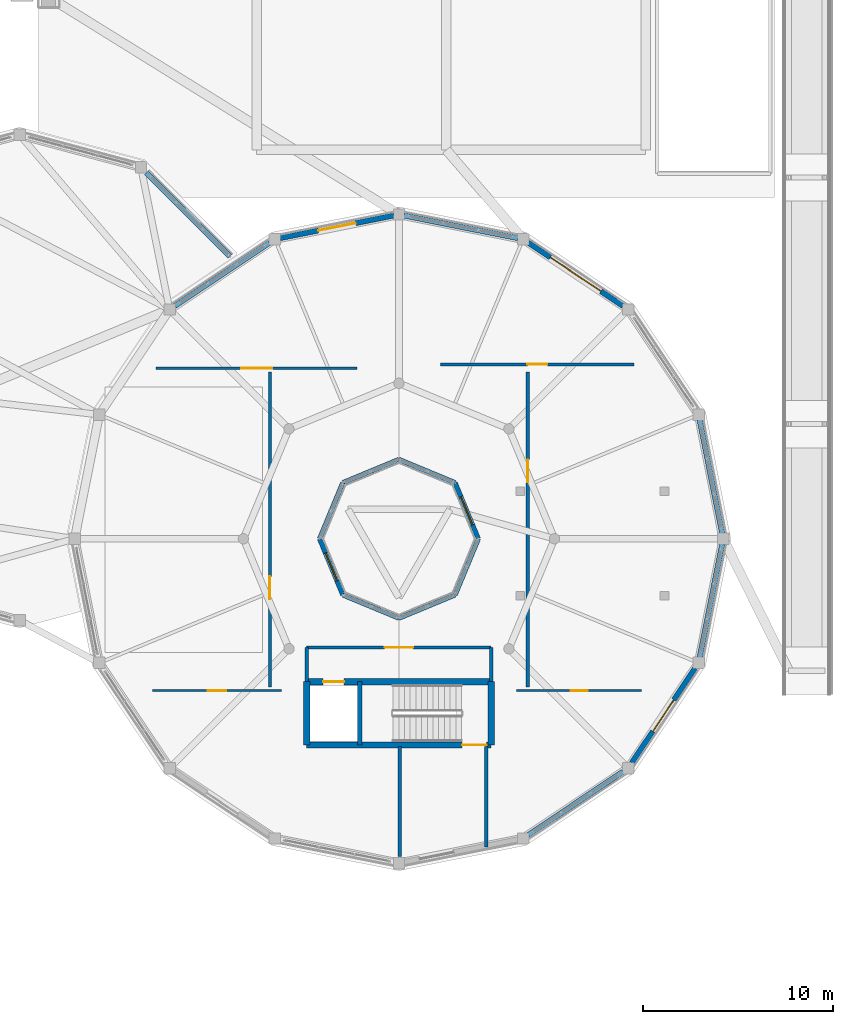
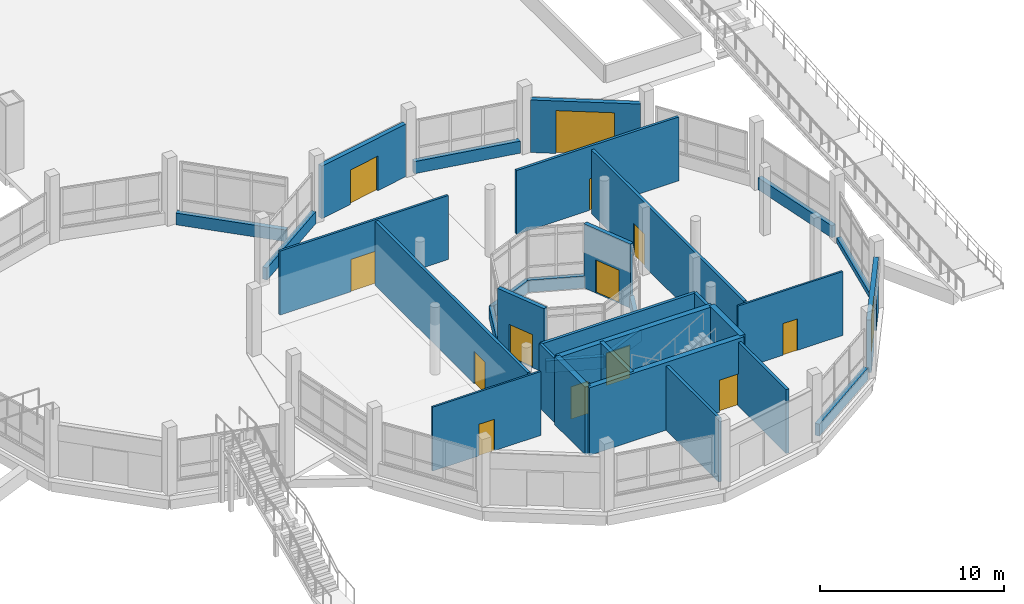
# One storey, part 112 of 129: 33 walls, 14 doors, 14 openings.
"""IFC4 building model written with IfcOpenShell, lengths in metres."""

from ifc_helpers import new_model, si_unit, direction, frame, frame_2d, origin, place, context, subcontext, project, spatial, rectangle, extrude, material, layer, layer_set, type_object, element, fill, save


model = new_model("IFC4")

# Units and contexts
model_context = context("Model", 3, precision=1e-05, world=origin(), true_north=direction((0.0, 1.0)))
body_context = subcontext(model_context, "Body", "Model", "MODEL_VIEW")
ifc_project = project(units=[si_unit("LENGTHUNIT", "METRE"), si_unit("AREAUNIT", "SQUARE_METRE"), si_unit("VOLUMEUNIT", "CUBIC_METRE"), si_unit("PLANEANGLEUNIT", "RADIAN"), si_unit("MASSUNIT", "GRAM", prefix="KILO")], contexts=[model_context])

# Site, building, storey
site_placement = place(None, origin())
site = spatial("IfcSite", under=ifc_project, at=site_placement, CompositionType="ELEMENT")
building_placement = place(site_placement, origin())
building = spatial("IfcBuilding", under=site, at=building_placement, Name="Vespera Passage Community Centre", CompositionType="ELEMENT")
storey_placement = place(building_placement, origin())
storey = spatial("IfcBuildingStorey", under=building, at=storey_placement, Name="L00", CompositionType="ELEMENT", Elevation=0.0)

# Wall, opening, door
ifc_material_1 = material(Name="Concrete f'c 45 MPa", Category="concrete")
ifc_layer_1 = layer(ifc_material_1, 0.340087890625)
ifc_layer_set_1 = layer_set([ifc_layer_1], Name="Concrete f'c 45 MPa")
wall_type_1 = type_object("IfcWallType", Name="WT-CORE-340I", PredefinedType="SHEAR", material=ifc_layer_set_1)
wall_1_placement = place(storey_placement, frame((136.135009765625, 17.469970703125, 0.0), z_axis=(0.0, 0.0, 1.0), x_axis=(1.0, 0.0, 0.0)))
wall_1 = element("IfcWall", 1, at=wall_1_placement, inside=storey, type_object=wall_type_1, Name="Core C7 L00 Shear Wall FRONT", PredefinedType="SHEAR", context=body_context, shape_type="SweptSolid", body=[
    extrude(rectangle(XDim=9.72998046875, YDim=0.340087890625, at=frame_2d((4.864990234375, 0.0))), origin(), (0.0, 0.0, 1.0), 4.5),
])
opening_1_placement = place(wall_1_placement, frame((0.8701171875, 0.0, 0.0)))
opening_1 = element("IfcOpeningElement", 2, at=opening_1_placement, cuts=wall_1, Name="Opening DT-LIFT-110", PredefinedType="OPENING", context=body_context, shape_type="SweptSolid", body=[
    extrude(rectangle(XDim=1.10009765625, YDim=2.14990234375, at=frame_2d((0.550048828125, 1.074951171875))), frame((0.0, 0.179931640625, 0.0), z_axis=(0.0, -1.0, 0.0), x_axis=(1.0, 0.0, 0.0)), (0.0, 0.0, 1.0), 0.360107421875),
])
ifc_material_2 = material(Name="Painted hollow-metal acoustic door", Category="steel")
door_type_1 = type_object("IfcDoorType", Name="DT-LIFT-110", OperationType="NOTDEFINED", PredefinedType="DOOR", material=ifc_material_2)
door_1_placement = place(opening_1_placement, origin())
door_1 = element("IfcDoor", 3, at=door_1_placement, inside=storey, type_object=door_type_1, Name="Elevator EL-05 L00 Landing Door LD-027", OperationType="SLIDING_TO_LEFT", OverallHeight=2.14990234375, OverallWidth=1.10009765625, PredefinedType="DOOR", context=body_context, shape_type="SweptSolid", body=[
    extrude(rectangle(XDim=1.10009765625, YDim=2.14990234375, at=frame_2d((0.550048828125, 1.074951171875))), frame((0.0, 0.02490234375, 0.0), z_axis=(0.0, -1.0, 0.0), x_axis=(1.0, 0.0, 0.0)), (0.0, 0.0, 1.0), 0.050048828125),
])
fill(opening_1, door_1)

# Wall
wall_2_placement = place(storey_placement, frame((145.864990234375, 17.469970703125, 0.0), z_axis=(0.0, 0.0, 1.0), x_axis=(0.0, -1.0, 0.0)))
element("IfcWall", 4, at=wall_2_placement, inside=storey, type_object=wall_type_1, Name="Core C7 L00 Shear Wall LEFT", PredefinedType="SHEAR", context=body_context, shape_type="SweptSolid", body=[
    extrude(rectangle(XDim=3.340087890625, YDim=0.340087890625, at=frame_2d((1.669921875, 0.0))), origin(), (0.0, 0.0, 1.0), 4.5),
])

# Wall, opening, door
wall_3_placement = place(storey_placement, frame((145.864990234375, 14.1298828125, 0.0), z_axis=(0.0, 0.0, 1.0), x_axis=(-1.0, 0.0, 0.0)))
wall_3 = element("IfcWall", 5, at=wall_3_placement, inside=storey, type_object=wall_type_1, Name="Core C7 L00 Shear Wall BACK", PredefinedType="SHEAR", context=body_context, shape_type="SweptSolid", body=[
    extrude(rectangle(XDim=9.72998046875, YDim=0.340087890625, at=frame_2d((4.864990234375, 0.0))), origin(), (0.0, 0.0, 1.0), 4.5),
])
opening_2_placement = place(wall_3_placement, frame((0.239990234375, 0.0, 0.0)))
opening_2 = element("IfcOpeningElement", 6, at=opening_2_placement, cuts=wall_3, Name="Opening DT-STAIR-130", PredefinedType="OPENING", context=body_context, shape_type="SweptSolid", body=[
    extrude(rectangle(XDim=1.300048828125, YDim=2.14990234375, at=frame_2d((0.64990234375, 1.074951171875))), frame((0.0, 0.179931640625, 0.0), z_axis=(0.0, -1.0, 0.0), x_axis=(1.0, 0.0, 0.0)), (0.0, 0.0, 1.0), 0.360107421875),
])
ifc_material_3 = material(Name="Painted hollow-metal acoustic door", Category="steel")
door_type_2 = type_object("IfcDoorType", Name="DT-STAIR-130", OperationType="NOTDEFINED", PredefinedType="DOOR", material=ifc_material_3)
door_2_placement = place(opening_2_placement, origin())
door_2 = element("IfcDoor", 7, at=door_2_placement, inside=storey, type_object=door_type_2, Name="Core C7 L00 Exit Stair Door D-111", OperationType="SINGLE_SWING_LEFT", OverallHeight=2.14990234375, OverallWidth=1.300048828125, PredefinedType="DOOR", context=body_context, shape_type="SweptSolid", body=[
    extrude(rectangle(XDim=1.300048828125, YDim=2.14990234375, at=frame_2d((0.64990234375, 1.074951171875))), frame((0.0, 0.02490234375, 0.0), z_axis=(0.0, -1.0, 0.0), x_axis=(1.0, 0.0, 0.0)), (0.0, 0.0, 1.0), 0.050048828125),
])
fill(opening_2, door_2)

# Wall
wall_4_placement = place(storey_placement, frame((136.135009765625, 14.1298828125, 0.0), z_axis=(0.0, 0.0, 1.0), x_axis=(0.0, 1.0, 0.0)))
element("IfcWall", 8, at=wall_4_placement, inside=storey, type_object=wall_type_1, Name="Core C7 L00 Shear Wall RIGHT", PredefinedType="SHEAR", context=body_context, shape_type="SweptSolid", body=[
    extrude(rectangle(XDim=3.340087890625, YDim=0.340087890625, at=frame_2d((1.669921875, 0.0))), origin(), (0.0, 0.0, 1.0), 4.5),
])

# Wall, opening, door
ifc_material_4 = material(Name="Gypsum board acoustic stud partition")
ifc_layer_2 = layer(ifc_material_4, 0.179931640625)
ifc_layer_set_2 = layer_set([ifc_layer_2], Name="Gypsum board acoustic stud partition")
wall_type_2 = type_object("IfcWallType", Name="WT-CORR-180I", PredefinedType="PARTITIONING", material=ifc_layer_set_2)
wall_5_placement = place(storey_placement, frame((145.864990234375, 19.27001953125, 0.0), z_axis=(0.0, 0.0, 1.0), x_axis=(-1.0, 0.0, 0.0)))
wall_5 = element("IfcWall", 9, at=wall_5_placement, inside=storey, type_object=wall_type_2, Name="Core C7 L00 Lift Lobby Front Wall", PredefinedType="PARTITIONING", context=body_context, shape_type="SweptSolid", body=[
    extrude(rectangle(XDim=9.72998046875, YDim=0.179931640625, at=frame_2d((4.864990234375, 0.0))), origin(), (0.0, 0.0, 1.0), 4.2548828125),
])
opening_3_placement = place(wall_5_placement, frame((4.114990234375, 0.0, 0.0)))
opening_3 = element("IfcOpeningElement", 10, at=opening_3_placement, cuts=wall_5, Name="Opening DT-CORR-150", PredefinedType="OPENING", context=body_context, shape_type="SweptSolid", body=[
    extrude(rectangle(XDim=1.5, YDim=2.14990234375, at=frame_2d((0.75, 1.074951171875))), frame((0.0, 0.099853515625, 0.0), z_axis=(0.0, -1.0, 0.0), x_axis=(1.0, 0.0, 0.0)), (0.0, 0.0, 1.0), 0.199951171875),
])
ifc_material_5 = material(Name="Painted hollow-metal acoustic door", Category="steel")
door_type_3 = type_object("IfcDoorType", Name="DT-CORR-150", OperationType="NOTDEFINED", PredefinedType="DOOR", material=ifc_material_5)
door_3_placement = place(opening_3_placement, origin())
door_3 = element("IfcDoor", 11, at=door_3_placement, inside=storey, type_object=door_type_3, Name="Core C7 L00 Lift Lobby Door D-112", OperationType="SINGLE_SWING_RIGHT", OverallHeight=2.14990234375, OverallWidth=1.5, PredefinedType="DOOR", context=body_context, shape_type="SweptSolid", body=[
    extrude(rectangle(XDim=1.5, YDim=2.14990234375, at=frame_2d((0.75, 1.074951171875))), frame((0.0, 0.02490234375, 0.0), z_axis=(0.0, -1.0, 0.0), x_axis=(1.0, 0.0, 0.0)), (0.0, 0.0, 1.0), 0.050048828125),
])
fill(opening_3, door_3)

# Walls
for number, where, z_axis, x_axis, name in (
    (12, (145.864990234375, 17.469970703125, 0.0), (0.0, 0.0, 1.0), (0.0, 1.0, 0.0), "Core C7 L00 Lift Lobby Side Wall L"),
    (13, (136.135009765625, 17.469970703125, 0.0), (0.0, 0.0, 1.0), (0.0, 1.0, 0.0), "Core C7 L00 Lift Lobby Side Wall R"),
):
    element("IfcWall", number, at=place(storey_placement, frame(where, z_axis=z_axis, x_axis=x_axis)), inside=storey, type_object=wall_type_2, Name=name, PredefinedType="PARTITIONING", context=body_context, shape_type="SweptSolid", body=[
        extrude(rectangle(XDim=1.800048828125, YDim=0.179931640625, at=frame_2d((0.89990234375, 0.0))), origin(), (0.0, 0.0, 1.0), 4.2548828125),
    ])
wall_6_placement = place(storey_placement, frame((141.050048828125, 8.25, 0.0), z_axis=(0.0, 0.0, 1.0), x_axis=(0.0, 1.0, 0.0)))
element("IfcWall", 14, at=wall_6_placement, inside=storey, type_object=wall_type_2, Name="L00 Protected Exit Passageway Wall EP4-W", PredefinedType="PARTITIONING", context=body_context, shape_type="SweptSolid", body=[
    extrude(rectangle(XDim=5.800048828125, YDim=0.179931640625, at=frame_2d((2.89990234375, 0.0))), origin(), (0.0, 0.0, 1.0), 4.2548828125),
])
wall_7_placement = place(storey_placement, frame((145.60009765625, 8.75, 0.0), z_axis=(0.0, 0.0, 1.0), x_axis=(0.0, 1.0, 0.0)))
element("IfcWall", 15, at=wall_7_placement, inside=storey, type_object=wall_type_2, Name="L00 Protected Exit Passageway Wall EP4-E", PredefinedType="PARTITIONING", context=body_context, shape_type="SweptSolid", body=[
    extrude(rectangle(XDim=5.300048828125, YDim=0.179931640625, at=frame_2d((2.64990234375, 0.0))), origin(), (0.0, 0.0, 1.0), 4.2548828125),
])

# Wall, opening, door
wall_8_placement = place(storey_placement, frame((134.199951171875, 17.199951171875, 0.0), z_axis=(0.0, 0.0, 1.0), x_axis=(0.0, 1.0, 0.0)))
wall_8 = element("IfcWall", 16, at=wall_8_placement, inside=storey, type_object=wall_type_2, Name="L00 Interior Partition V3-L00-CW.1", PredefinedType="PARTITIONING", context=body_context, shape_type="SweptSolid", body=[
    extrude(rectangle(XDim=16.60009765625, YDim=0.179931640625, at=frame_2d((8.300048828125, 0.0))), origin(), (0.0, 0.0, 1.0), 4.2548828125),
])
opening_4_placement = place(wall_8_placement, frame((4.6201171875, 0.0, 0.0)))
opening_4 = element("IfcOpeningElement", 17, at=opening_4_placement, cuts=wall_8, Name="Opening DT-CORR-120", PredefinedType="OPENING", context=body_context, shape_type="SweptSolid", body=[
    extrude(rectangle(XDim=1.199951171875, YDim=2.14990234375, at=frame_2d((0.60009765625, 1.074951171875))), frame((0.0, 0.099853515625, 0.0), z_axis=(0.0, -1.0, 0.0), x_axis=(1.0, 0.0, 0.0)), (0.0, 0.0, 1.0), 0.199951171875),
])
ifc_material_6 = material(Name="Painted hollow-metal acoustic door", Category="steel")
door_type_4 = type_object("IfcDoorType", Name="DT-CORR-120", OperationType="NOTDEFINED", PredefinedType="DOOR", material=ifc_material_6)
door_4_placement = place(opening_4_placement, origin())
door_4 = element("IfcDoor", 18, at=door_4_placement, inside=storey, type_object=door_type_4, Name="L00 Interior Door D-355", OperationType="SINGLE_SWING_LEFT", OverallHeight=2.14990234375, OverallWidth=1.199951171875, PredefinedType="DOOR", context=body_context, shape_type="SweptSolid", body=[
    extrude(rectangle(XDim=1.199951171875, YDim=2.14990234375, at=frame_2d((0.60009765625, 1.074951171875))), frame((0.0, 0.02490234375, 0.0), z_axis=(0.0, -1.0, 0.0), x_axis=(1.0, 0.0, 0.0)), (0.0, 0.0, 1.0), 0.050048828125),
])
fill(opening_4, door_4)

wall_9_placement = place(storey_placement, frame((147.800048828125, 17.199951171875, 0.0), z_axis=(0.0, 0.0, 1.0), x_axis=(0.0, 1.0, 0.0)))
wall_9 = element("IfcWall", 19, at=wall_9_placement, inside=storey, type_object=wall_type_2, Name="L00 Interior Partition V3-L00-CE.1", PredefinedType="PARTITIONING", context=body_context, shape_type="SweptSolid", body=[
    extrude(rectangle(XDim=16.60009765625, YDim=0.179931640625, at=frame_2d((8.300048828125, 0.0))), origin(), (0.0, 0.0, 1.0), 4.2548828125),
])
opening_5_placement = place(wall_9_placement, frame((10.780029296875, 0.0, 0.0)))
opening_5 = element("IfcOpeningElement", 20, at=opening_5_placement, cuts=wall_9, Name="Opening DT-CORR-120", PredefinedType="OPENING", context=body_context, shape_type="SweptSolid", body=[
    extrude(rectangle(XDim=1.199951171875, YDim=2.14990234375, at=frame_2d((0.60009765625, 1.074951171875))), frame((0.0, 0.099853515625, 0.0), z_axis=(0.0, -1.0, 0.0), x_axis=(1.0, 0.0, 0.0)), (0.0, 0.0, 1.0), 0.199951171875),
])
door_5_placement = place(opening_5_placement, origin())
door_5 = element("IfcDoor", 21, at=door_5_placement, inside=storey, type_object=door_type_4, Name="L00 Interior Door D-356", OperationType="SINGLE_SWING_RIGHT", OverallHeight=2.14990234375, OverallWidth=1.199951171875, PredefinedType="DOOR", context=body_context, shape_type="SweptSolid", body=[
    extrude(rectangle(XDim=1.199951171875, YDim=2.14990234375, at=frame_2d((0.60009765625, 1.074951171875))), frame((0.0, 0.02490234375, 0.0), z_axis=(0.0, -1.0, 0.0), x_axis=(1.0, 0.0, 0.0)), (0.0, 0.0, 1.0), 0.050048828125),
])
fill(opening_5, door_5)

# Wall
ifc_material_7 = material(Name="Concrete f'c 45 MPa", Category="concrete")
ifc_layer_3 = layer(ifc_material_7, 0.239990234375)
ifc_layer_set_3 = layer_set([ifc_layer_3], Name="Concrete f'c 45 MPa")
wall_type_3 = type_object("IfcWallType", Name="WT-DIV-240I", PredefinedType="SHEAR", material=ifc_layer_set_3)
wall_10_placement = place(storey_placement, frame((138.925048828125, 17.469970703125, 0.0), z_axis=(0.0, 0.0, 1.0), x_axis=(0.0, -1.0, 0.0)))
element("IfcWall", 22, at=wall_10_placement, inside=storey, type_object=wall_type_3, Name="Core C7 L00 Hoistway Divider Wall", PredefinedType="SHEAR", context=body_context, shape_type="SweptSolid", body=[
    extrude(rectangle(XDim=3.340087890625, YDim=0.239990234375, at=frame_2d((1.669921875, 0.0))), origin(), (0.0, 0.0, 1.0), 4.5),
])

# Wall, opening, door
ifc_material_8 = material(Name="Precast concrete f'c 40 MPa", Category="concrete")
ifc_layer_4 = layer(ifc_material_8, 0.25)
ifc_layer_set_4 = layer_set([ifc_layer_4], Name="Precast concrete f'c 40 MPa")
wall_type_4 = type_object("IfcWallType", Name="WT-EXT-250E", PredefinedType="STANDARD", material=ifc_layer_set_4)
wall_11_placement = place(storey_placement, frame((145.179931640625, 25.0, 0.0), z_axis=(0.0, 0.0, 1.0), x_axis=(-0.382625877527, 0.923903370406, 0.0)))
wall_11 = element("IfcWall", 23, at=wall_11_placement, inside=storey, type_object=wall_type_4, Name="V3 L00 Inner Court Portal Wall 1", PredefinedType="STANDARD", context=body_context, shape_type="SweptSolid", body=[
    extrude(rectangle(XDim=3.19921875, YDim=0.25, at=frame_2d((1.599609375, 0.0))), origin(), (0.0, 0.0, 1.0), 4.260009765625),
])
opening_6_placement = place(wall_11_placement, frame((0.799560546875, 0.0, 0.0)))
opening_6 = element("IfcOpeningElement", 24, at=opening_6_placement, cuts=wall_11, Name="Opening DT-E04", PredefinedType="OPENING", context=body_context, shape_type="SweptSolid", body=[
    extrude(rectangle(XDim=1.60009765625, YDim=2.199951171875, at=frame_2d((0.800048828125, 1.10009765625))), frame((0.0, 0.135009765625, 0.0), z_axis=(0.0, -1.0, 0.0), x_axis=(1.0, 0.0, 0.0)), (0.0, 0.0, 1.0), 0.27001953125),
])
ifc_material_9 = material(Name="Anodized aluminium 6063-T6", Category="aluminium")
door_type_5 = type_object("IfcDoorType", Name="DT-E04", OperationType="NOTDEFINED", PredefinedType="DOOR", material=ifc_material_9)
door_6_placement = place(opening_6_placement, origin())
door_6 = element("IfcDoor", 25, at=door_6_placement, inside=storey, type_object=door_type_5, Name="V3 Inner Planted Court Door 1", OperationType="SINGLE_SWING_RIGHT", OverallHeight=2.199951171875, OverallWidth=1.60009765625, PredefinedType="DOOR", context=body_context, shape_type="SweptSolid", body=[
    extrude(rectangle(XDim=1.60009765625, YDim=2.199951171875, at=frame_2d((0.800048828125, 1.10009765625))), frame((0.0, 0.02490234375, 0.0), z_axis=(0.0, -1.0, 0.0), x_axis=(1.0, 0.0, 0.0)), (0.0, 0.0, 1.0), 0.050048828125),
])
fill(opening_6, door_6)

# Walls
for number, where, z_axis, x_axis, name in (
    (26, (143.955810546875, 27.955810546875, 0.0), (0.0, 0.0, 1.0), (-0.923903370406, 0.382625877527, 0.0), "V3 L00 Inner Court Spandrel 2"),
    (27, (141.0, 29.179931640625, 0.0), (0.0, 0.0, 1.0), (-0.923903370406, -0.382625877527, 0.0), "V3 L00 Inner Court Spandrel 3"),
    (28, (138.044189453125, 27.955810546875, 0.0), (0.0, 0.0, 1.0), (-0.382625877527, -0.923903370406, 0.0), "V3 L00 Inner Court Spandrel 4"),
):
    element("IfcWall", number, at=place(storey_placement, frame(where, z_axis=z_axis, x_axis=x_axis)), inside=storey, type_object=wall_type_4, Name=name, PredefinedType="STANDARD", context=body_context, shape_type="SweptSolid", body=[
        extrude(rectangle(XDim=3.19921875, YDim=0.25, at=frame_2d((1.599609375, 0.0))), origin(), (0.0, 0.0, 1.0), 0.800048828125),
    ])

# Wall, opening, door
wall_12_placement = place(storey_placement, frame((136.820068359375, 25.0, 0.0), z_axis=(0.0, 0.0, 1.0), x_axis=(0.382625877527, -0.923903370406, 0.0)))
wall_12 = element("IfcWall", 29, at=wall_12_placement, inside=storey, type_object=wall_type_4, Name="V3 L00 Inner Court Portal Wall 5", PredefinedType="STANDARD", context=body_context, shape_type="SweptSolid", body=[
    extrude(rectangle(XDim=3.19921875, YDim=0.25, at=frame_2d((1.599609375, 0.0))), origin(), (0.0, 0.0, 1.0), 4.260009765625),
])
opening_7_placement = place(wall_12_placement, frame((0.799560546875, 0.0, 0.0)))
opening_7 = element("IfcOpeningElement", 30, at=opening_7_placement, cuts=wall_12, Name="Opening DT-E04", PredefinedType="OPENING", context=body_context, shape_type="SweptSolid", body=[
    extrude(rectangle(XDim=1.60009765625, YDim=2.199951171875, at=frame_2d((0.800048828125, 1.10009765625))), frame((0.0, 0.135009765625, 0.0), z_axis=(0.0, -1.0, 0.0), x_axis=(1.0, 0.0, 0.0)), (0.0, 0.0, 1.0), 0.27001953125),
])
door_7_placement = place(opening_7_placement, origin())
door_7 = element("IfcDoor", 31, at=door_7_placement, inside=storey, type_object=door_type_5, Name="V3 Inner Planted Court Door 5", OperationType="SINGLE_SWING_LEFT", OverallHeight=2.199951171875, OverallWidth=1.60009765625, PredefinedType="DOOR", context=body_context, shape_type="SweptSolid", body=[
    extrude(rectangle(XDim=1.60009765625, YDim=2.199951171875, at=frame_2d((0.800048828125, 1.10009765625))), frame((0.0, 0.02490234375, 0.0), z_axis=(0.0, -1.0, 0.0), x_axis=(1.0, 0.0, 0.0)), (0.0, 0.0, 1.0), 0.050048828125),
])
fill(opening_7, door_7)

# Walls
for number, where, z_axis, x_axis, name in (
    (32, (138.044189453125, 22.044189453125, 0.0), (0.0, 0.0, 1.0), (0.923903370406, -0.382625877527, 0.0), "V3 L00 Inner Court Spandrel 6"),
    (33, (141.0, 20.820068359375, 0.0), (0.0, 0.0, 1.0), (0.923903370406, 0.382625877527, 0.0), "V3 L00 Inner Court Spandrel 7"),
    (34, (143.955810546875, 22.044189453125, 0.0), (0.0, 0.0, 1.0), (0.382625877527, 0.923903370406, 0.0), "V3 L00 Inner Court Spandrel 8"),
):
    element("IfcWall", number, at=place(storey_placement, frame(where, z_axis=z_axis, x_axis=x_axis)), inside=storey, type_object=wall_type_4, Name=name, PredefinedType="STANDARD", context=body_context, shape_type="SweptSolid", body=[
        extrude(rectangle(XDim=3.19921875, YDim=0.25, at=frame_2d((1.599609375, 0.0))), origin(), (0.0, 0.0, 1.0), 0.800048828125),
    ])
ifc_material_10 = material(Name="Precast concrete f'c 40 MPa", Category="concrete")
ifc_layer_5 = layer(ifc_material_10, 0.280029296875)
ifc_layer_set_5 = layer_set([ifc_layer_5], Name="Precast concrete f'c 40 MPa")
wall_type_5 = type_object("IfcWallType", Name="WT-EXT-280E", PredefinedType="STANDARD", material=ifc_layer_set_5)
wall_13_placement = place(storey_placement, frame((156.85302734375, 31.268310546875, 0.0), z_axis=(0.0, 0.0, 1.0), x_axis=(0.195101780047, -0.98078300119, 0.0)))
element("IfcWall", 35, at=wall_13_placement, inside=storey, type_object=wall_type_5, Name="V3 L00 Spandrel 1", PredefinedType="STANDARD", context=body_context, shape_type="SweptSolid", body=[
    extrude(rectangle(XDim=6.1103515625, YDim=0.280029296875, at=frame_2d((3.05517578125, 0.0))), origin(), (0.0, 0.0, 1.0), 0.800048828125),
])

# Wall, opening, door
wall_14_placement = place(storey_placement, frame((147.822998046875, 40.61181640625, 0.0), z_axis=(0.0, 0.0, 1.0), x_axis=(0.831467707354, -0.555573083966, 0.0)))
wall_14 = element("IfcWall", 36, at=wall_14_placement, inside=storey, type_object=wall_type_5, Name="V3 L00 Facade Wall 3", PredefinedType="STANDARD", context=body_context, shape_type="SweptSolid", body=[
    extrude(rectangle(XDim=6.00048828125, YDim=0.280029296875, at=frame_2d((3.000244140625, 0.0))), origin(), (0.0, 0.0, 1.0), 3.4951171875),
])
opening_8_placement = place(wall_14_placement, frame((1.400146484375, 0.0, 0.0)))
opening_8 = element("IfcOpeningElement", 37, at=opening_8_placement, cuts=wall_14, Name="Opening DT-LOAD", PredefinedType="OPENING", context=body_context, shape_type="SweptSolid", body=[
    extrude(rectangle(XDim=3.199951171875, YDim=2.85009765625, at=frame_2d((1.60009765625, 1.425048828125))), frame((0.0, 0.150146484375, 0.0), z_axis=(0.0, -1.0, 0.0), x_axis=(1.0, 0.0, 0.0)), (0.0, 0.0, 1.0), 0.300048828125),
])
ifc_material_11 = material(Name="Anodized aluminium 6063-T6", Category="aluminium")
door_type_6 = type_object("IfcDoorType", Name="DT-LOAD", OperationType="NOTDEFINED", PredefinedType="DOOR", material=ifc_material_11)
door_8_placement = place(opening_8_placement, origin())
door_8 = element("IfcDoor", 38, at=door_8_placement, inside=storey, type_object=door_type_6, Name="Commercial Kitchen Loading Bay Roller Shutter", OperationType="ROLLINGUP", OverallHeight=2.85009765625, OverallWidth=3.199951171875, PredefinedType="DOOR", context=body_context, shape_type="SweptSolid", body=[
    extrude(rectangle(XDim=3.199951171875, YDim=2.85009765625, at=frame_2d((1.60009765625, 1.425048828125))), frame((0.0, 0.02490234375, 0.0), z_axis=(0.0, -1.0, 0.0), x_axis=(1.0, 0.0, 0.0)), (0.0, 0.0, 1.0), 0.050048828125),
])
fill(opening_8, door_8)

# Wall
wall_15_placement = place(storey_placement, frame((141.275390625, 42.045166015625, 0.0), z_axis=(0.0, 0.0, 1.0), x_axis=(0.98078300119, -0.195101780047, 0.0)))
element("IfcWall", 39, at=wall_15_placement, inside=storey, type_object=wall_type_5, Name="V3 L00 Spandrel 4", PredefinedType="STANDARD", context=body_context, shape_type="SweptSolid", body=[
    extrude(rectangle(XDim=6.1103515625, YDim=0.280029296875, at=frame_2d((3.05517578125, 0.0))), origin(), (0.0, 0.0, 1.0), 0.800048828125),
])

# Wall, opening, door
wall_16_placement = place(storey_placement, frame((134.731689453125, 40.85302734375, 0.0), z_axis=(0.0, 0.0, 1.0), x_axis=(0.98078300119, 0.195101780047, 0.0)))
wall_16 = element("IfcWall", 40, at=wall_16_placement, inside=storey, type_object=wall_type_5, Name="V3 L00 Facade Wall 5", PredefinedType="STANDARD", context=body_context, shape_type="SweptSolid", body=[
    extrude(rectangle(XDim=6.1103515625, YDim=0.280029296875, at=frame_2d((3.05517578125, 0.0))), origin(), (0.0, 0.0, 1.0), 3.4951171875),
])
opening_9_placement = place(wall_16_placement, frame((2.05517578125, 0.0, 0.0)))
opening_9 = element("IfcOpeningElement", 41, at=opening_9_placement, cuts=wall_16, Name="Opening DT-E06", PredefinedType="OPENING", context=body_context, shape_type="SweptSolid", body=[
    extrude(rectangle(XDim=2.0, YDim=2.300048828125, at=frame_2d((1.0, 1.14990234375))), frame((0.0, 0.150146484375, 0.0), z_axis=(0.0, -1.0, 0.0), x_axis=(1.0, 0.0, 0.0)), (0.0, 0.0, 1.0), 0.300048828125),
])
ifc_material_12 = material(Name="Anodized aluminium 6063-T6", Category="aluminium")
door_type_7 = type_object("IfcDoorType", Name="DT-E06", OperationType="NOTDEFINED", PredefinedType="DOOR", material=ifc_material_12)
door_9_placement = place(opening_9_placement, origin())
door_9 = element("IfcDoor", 42, at=door_9_placement, inside=storey, type_object=door_type_7, Name="Dining Drum Exit Door 5", OperationType="SINGLE_SWING_RIGHT", OverallHeight=2.300048828125, OverallWidth=2.0, PredefinedType="DOOR", context=body_context, shape_type="SweptSolid", body=[
    extrude(rectangle(XDim=2.0, YDim=2.300048828125, at=frame_2d((1.0, 1.14990234375))), frame((0.0, 0.02490234375, 0.0), z_axis=(0.0, -1.0, 0.0), x_axis=(1.0, 0.0, 0.0)), (0.0, 0.0, 1.0), 0.050048828125),
])
fill(opening_9, door_9)

# Walls
for number, where, z_axis, x_axis, name in (
    (43, (129.187744140625, 37.278076171875, 0.0), (0.0, 0.0, 1.0), (0.831467707354, 0.555573083966, 0.0), "V3 L00 Spandrel 6"),
    (44, (152.812255859375, 12.721923828125, 0.0), (0.0, 0.0, 1.0), (-0.831467707354, -0.555573083966, 0.0), "V3 L00 Spandrel 14"),
):
    element("IfcWall", number, at=place(storey_placement, frame(where, z_axis=z_axis, x_axis=x_axis)), inside=storey, type_object=wall_type_5, Name=name, PredefinedType="STANDARD", context=body_context, shape_type="SweptSolid", body=[
        extrude(rectangle(XDim=6.00048828125, YDim=0.280029296875, at=frame_2d((3.000244140625, 0.0))), origin(), (0.0, 0.0, 1.0), 0.800048828125),
    ])

# Wall, opening, door
wall_17_placement = place(storey_placement, frame((156.61181640625, 18.177001953125, 0.0), z_axis=(0.0, 0.0, 1.0), x_axis=(-0.555573083966, -0.831467707354, 0.0)))
wall_17 = element("IfcWall", 45, at=wall_17_placement, inside=storey, type_object=wall_type_5, Name="V3 L00 Facade Wall 15", PredefinedType="STANDARD", context=body_context, shape_type="SweptSolid", body=[
    extrude(rectangle(XDim=6.00048828125, YDim=0.280029296875, at=frame_2d((3.000244140625, 0.0))), origin(), (0.0, 0.0, 1.0), 3.4951171875),
])
opening_10_placement = place(wall_17_placement, frame((2.000244140625, 0.0, 0.0)))
opening_10 = element("IfcOpeningElement", 46, at=opening_10_placement, cuts=wall_17, Name="Opening DT-E06", PredefinedType="OPENING", context=body_context, shape_type="SweptSolid", body=[
    extrude(rectangle(XDim=2.0, YDim=2.300048828125, at=frame_2d((1.0, 1.14990234375))), frame((0.0, 0.150146484375, 0.0), z_axis=(0.0, -1.0, 0.0), x_axis=(1.0, 0.0, 0.0)), (0.0, 0.0, 1.0), 0.300048828125),
])
door_10_placement = place(opening_10_placement, origin())
door_10 = element("IfcDoor", 47, at=door_10_placement, inside=storey, type_object=door_type_7, Name="Dining Drum Exit Door 15", OperationType="SINGLE_SWING_LEFT", OverallHeight=2.300048828125, OverallWidth=2.0, PredefinedType="DOOR", context=body_context, shape_type="SweptSolid", body=[
    extrude(rectangle(XDim=2.0, YDim=2.300048828125, at=frame_2d((1.0, 1.14990234375))), frame((0.0, 0.02490234375, 0.0), z_axis=(0.0, -1.0, 0.0), x_axis=(1.0, 0.0, 0.0)), (0.0, 0.0, 1.0), 0.050048828125),
])
fill(opening_10, door_10)

# Walls
wall_18_placement = place(storey_placement, frame((158.045166015625, 24.724609375, 0.0), z_axis=(0.0, 0.0, 1.0), x_axis=(-0.195101780047, -0.98078300119, 0.0)))
element("IfcWall", 48, at=wall_18_placement, inside=storey, type_object=wall_type_5, Name="V3 L00 Spandrel 16", PredefinedType="STANDARD", context=body_context, shape_type="SweptSolid", body=[
    extrude(rectangle(XDim=6.1103515625, YDim=0.280029296875, at=frame_2d((3.05517578125, 0.0))), origin(), (0.0, 0.0, 1.0), 0.35009765625),
])
wall_19_placement = place(storey_placement, frame((127.682373046875, 44.302734375, 0.0), z_axis=(0.0, 0.0, 1.0), x_axis=(0.707106781187, -0.707106781187, 0.0)))
element("IfcWall", 49, at=wall_19_placement, inside=storey, type_object=wall_type_5, Name="V3A L00 Cafe Spandrel 2", PredefinedType="STANDARD", context=body_context, shape_type="SweptSolid", body=[
    extrude(rectangle(XDim=6.2265625, YDim=0.280029296875, at=frame_2d((3.11328125, 0.0))), origin(), (0.0, 0.0, 1.0), 0.780029296875),
])

# Wall, opening, door
ifc_material_13 = material(Name="Gypsum board acoustic stud partition")
ifc_layer_6 = layer(ifc_material_13, 0.139892578125)
ifc_layer_set_6 = layer_set([ifc_layer_6], Name="Gypsum board acoustic stud partition")
wall_type_6 = type_object("IfcWallType", Name="WT-ROOM-140I", PredefinedType="PARTITIONING", material=ifc_layer_set_6)
wall_20_placement = place(storey_placement, frame((128.199951171875, 34.0, 0.0), z_axis=(0.0, 0.0, 1.0), x_axis=(1.0, 0.0, 0.0)))
wall_20 = element("IfcWall", 50, at=wall_20_placement, inside=storey, type_object=wall_type_6, Name="L00 Interior Partition V3-L00-DIVW.1", PredefinedType="PARTITIONING", context=body_context, shape_type="SweptSolid", body=[
    extrude(rectangle(XDim=10.60009765625, YDim=0.139892578125, at=frame_2d((5.300048828125, 0.0))), origin(), (0.0, 0.0, 1.0), 4.2548828125),
])
opening_11_placement = place(wall_20_placement, frame((4.47509765625, 0.0, 0.0)))
opening_11 = element("IfcOpeningElement", 51, at=opening_11_placement, cuts=wall_20, Name="Opening DT-INT-165", PredefinedType="OPENING", context=body_context, shape_type="SweptSolid", body=[
    extrude(rectangle(XDim=1.64990234375, YDim=2.14990234375, at=frame_2d((0.824951171875, 1.074951171875))), frame((0.0, 0.079833984375, 0.0), z_axis=(0.0, -1.0, 0.0), x_axis=(1.0, 0.0, 0.0)), (0.0, 0.0, 1.0), 0.159912109375),
])
ifc_material_14 = material(Name="Solid-core maple veneer door", Category="wood")
door_type_8 = type_object("IfcDoorType", Name="DT-INT-165", OperationType="NOTDEFINED", PredefinedType="DOOR", material=ifc_material_14)
door_11_placement = place(opening_11_placement, origin())
door_11 = element("IfcDoor", 52, at=door_11_placement, inside=storey, type_object=door_type_8, Name="L00 Interior Door D-357", OperationType="SINGLE_SWING_LEFT", OverallHeight=2.14990234375, OverallWidth=1.64990234375, PredefinedType="DOOR", context=body_context, shape_type="SweptSolid", body=[
    extrude(rectangle(XDim=1.64990234375, YDim=2.14990234375, at=frame_2d((0.824951171875, 1.074951171875))), frame((0.0, 0.02490234375, 0.0), z_axis=(0.0, -1.0, 0.0), x_axis=(1.0, 0.0, 0.0)), (0.0, 0.0, 1.0), 0.050048828125),
])
fill(opening_11, door_11)

ifc_material_15 = material(Name="Gypsum board acoustic stud partition")
ifc_layer_7 = layer(ifc_material_15, 0.159912109375)
ifc_layer_set_7 = layer_set([ifc_layer_7], Name="Gypsum board acoustic stud partition")
wall_type_7 = type_object("IfcWallType", Name="WT-STC-160I", PredefinedType="PARTITIONING", material=ifc_layer_set_7)
wall_21_placement = place(storey_placement, frame((143.199951171875, 34.199951171875, 0.0), z_axis=(0.0, 0.0, 1.0), x_axis=(1.0, 0.0, 0.0)))
wall_21 = element("IfcWall", 53, at=wall_21_placement, inside=storey, type_object=wall_type_7, Name="L00 Interior Partition V3-L00-DIVE.1", PredefinedType="PARTITIONING", context=body_context, shape_type="SweptSolid", body=[
    extrude(rectangle(XDim=10.199951171875, YDim=0.159912109375, at=frame_2d((5.10009765625, 0.0))), origin(), (0.0, 0.0, 1.0), 4.2548828125),
])
opening_12_placement = place(wall_21_placement, frame((4.574951171875, 0.0, 0.0)))
opening_12 = element("IfcOpeningElement", 54, at=opening_12_placement, cuts=wall_21, Name="Opening DT-CORR-105", PredefinedType="OPENING", context=body_context, shape_type="SweptSolid", body=[
    extrude(rectangle(XDim=1.050048828125, YDim=2.10009765625, at=frame_2d((0.52490234375, 1.050048828125))), frame((0.0, 0.090087890625, 0.0), z_axis=(0.0, -1.0, 0.0), x_axis=(1.0, 0.0, 0.0)), (0.0, 0.0, 1.0), 0.179931640625),
])
ifc_material_16 = material(Name="Painted hollow-metal acoustic door", Category="steel")
door_type_9 = type_object("IfcDoorType", Name="DT-CORR-105", OperationType="NOTDEFINED", PredefinedType="DOOR", material=ifc_material_16)
door_12_placement = place(opening_12_placement, origin())
door_12 = element("IfcDoor", 55, at=door_12_placement, inside=storey, type_object=door_type_9, Name="L00 Interior Door D-358", OperationType="SINGLE_SWING_RIGHT", OverallHeight=2.10009765625, OverallWidth=1.050048828125, PredefinedType="DOOR", context=body_context, shape_type="SweptSolid", body=[
    extrude(rectangle(XDim=1.050048828125, YDim=2.10009765625, at=frame_2d((0.52490234375, 1.050048828125))), frame((0.0, 0.02490234375, 0.0), z_axis=(0.0, -1.0, 0.0), x_axis=(1.0, 0.0, 0.0)), (0.0, 0.0, 1.0), 0.050048828125),
])
fill(opening_12, door_12)

ifc_material_17 = material(Name="Moisture-resistant gypsum stud partition")
ifc_layer_8 = layer(ifc_material_17, 0.1201171875)
ifc_layer_set_8 = layer_set([ifc_layer_8], Name="Moisture-resistant gypsum stud partition")
wall_type_8 = type_object("IfcWallType", Name="WT-WET-120I", PredefinedType="PARTITIONING", material=ifc_layer_set_8)
wall_22_placement = place(storey_placement, frame((128.0, 17.0, 0.0), z_axis=(0.0, 0.0, 1.0), x_axis=(1.0, 0.0, 0.0)))
wall_22 = element("IfcWall", 56, at=wall_22_placement, inside=storey, type_object=wall_type_8, Name="L00 Interior Partition V3-L00-WCSW.1", PredefinedType="PARTITIONING", context=body_context, shape_type="SweptSolid", body=[
    extrude(rectangle(XDim=6.800048828125, YDim=0.1201171875, at=frame_2d((3.39990234375, 0.0))), origin(), (0.0, 0.0, 1.0), 4.2548828125),
])
opening_13_placement = place(wall_22_placement, frame((2.909912109375, 0.0, 0.0)))
opening_13 = element("IfcOpeningElement", 57, at=opening_13_placement, cuts=wall_22, Name="Opening DT-INT-98", PredefinedType="OPENING", context=body_context, shape_type="SweptSolid", body=[
    extrude(rectangle(XDim=0.97998046875, YDim=2.10009765625, at=frame_2d((0.489990234375, 1.050048828125))), frame((0.0, 0.070068359375, 0.0), z_axis=(0.0, -1.0, 0.0), x_axis=(1.0, 0.0, 0.0)), (0.0, 0.0, 1.0), 0.14013671875),
])
ifc_material_18 = material(Name="Solid-core maple veneer door", Category="wood")
door_type_10 = type_object("IfcDoorType", Name="DT-INT-98", OperationType="NOTDEFINED", PredefinedType="DOOR", material=ifc_material_18)
door_13_placement = place(opening_13_placement, origin())
door_13 = element("IfcDoor", 58, at=door_13_placement, inside=storey, type_object=door_type_10, Name="L00 Interior Door D-359", OperationType="SINGLE_SWING_LEFT", OverallHeight=2.10009765625, OverallWidth=0.97998046875, PredefinedType="DOOR", context=body_context, shape_type="SweptSolid", body=[
    extrude(rectangle(XDim=0.97998046875, YDim=2.10009765625, at=frame_2d((0.489990234375, 1.050048828125))), frame((0.0, 0.02490234375, 0.0), z_axis=(0.0, -1.0, 0.0), x_axis=(1.0, 0.0, 0.0)), (0.0, 0.0, 1.0), 0.050048828125),
])
fill(opening_13, door_13)

wall_23_placement = place(storey_placement, frame((147.199951171875, 17.0, 0.0), z_axis=(0.0, 0.0, 1.0), x_axis=(1.0, 0.0, 0.0)))
wall_23 = element("IfcWall", 59, at=wall_23_placement, inside=storey, type_object=wall_type_8, Name="L00 Interior Partition V3-L00-WCSE.1", PredefinedType="PARTITIONING", context=body_context, shape_type="SweptSolid", body=[
    extrude(rectangle(XDim=6.60009765625, YDim=0.1201171875, at=frame_2d((3.300048828125, 0.0))), origin(), (0.0, 0.0, 1.0), 4.2548828125),
])
opening_14_placement = place(wall_23_placement, frame((2.85009765625, 0.0, 0.0)))
opening_14 = element("IfcOpeningElement", 60, at=opening_14_placement, cuts=wall_23, Name="Opening DT-INT-90", PredefinedType="OPENING", context=body_context, shape_type="SweptSolid", body=[
    extrude(rectangle(XDim=0.89990234375, YDim=2.10009765625, at=frame_2d((0.449951171875, 1.050048828125))), frame((0.0, 0.070068359375, 0.0), z_axis=(0.0, -1.0, 0.0), x_axis=(1.0, 0.0, 0.0)), (0.0, 0.0, 1.0), 0.14013671875),
])
ifc_material_19 = material(Name="Solid-core maple veneer door", Category="wood")
door_type_11 = type_object("IfcDoorType", Name="DT-INT-90", OperationType="NOTDEFINED", PredefinedType="DOOR", material=ifc_material_19)
door_14_placement = place(opening_14_placement, origin())
door_14 = element("IfcDoor", 61, at=door_14_placement, inside=storey, type_object=door_type_11, Name="L00 Interior Door D-360", OperationType="SINGLE_SWING_RIGHT", OverallHeight=2.10009765625, OverallWidth=0.89990234375, PredefinedType="DOOR", context=body_context, shape_type="SweptSolid", body=[
    extrude(rectangle(XDim=0.89990234375, YDim=2.10009765625, at=frame_2d((0.449951171875, 1.050048828125))), frame((0.0, 0.02490234375, 0.0), z_axis=(0.0, -1.0, 0.0), x_axis=(1.0, 0.0, 0.0)), (0.0, 0.0, 1.0), 0.050048828125),
])
fill(opening_14, door_14)

save(model, "model.ifc")
